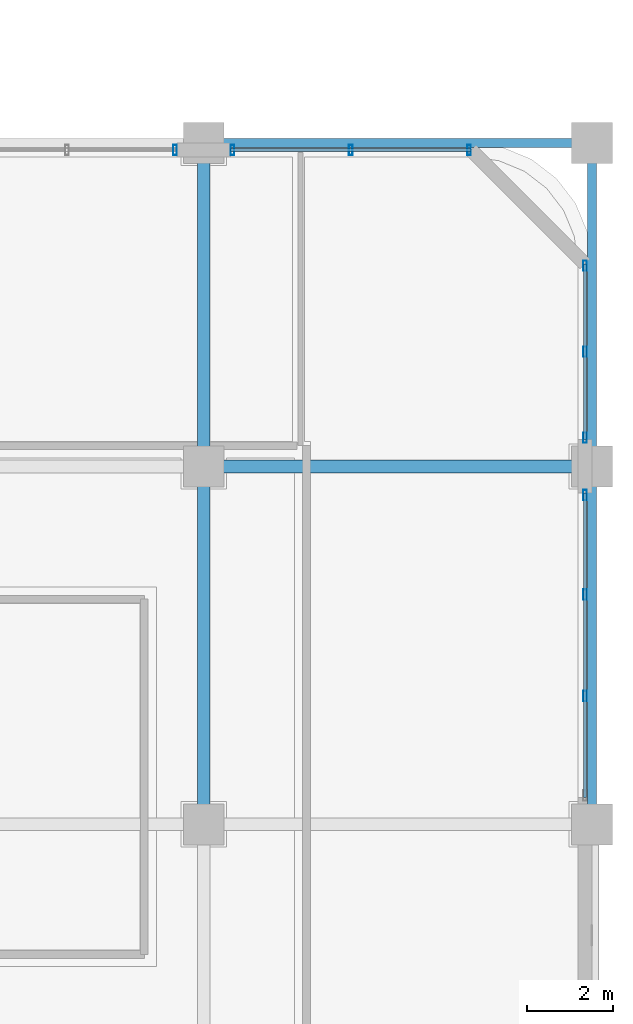
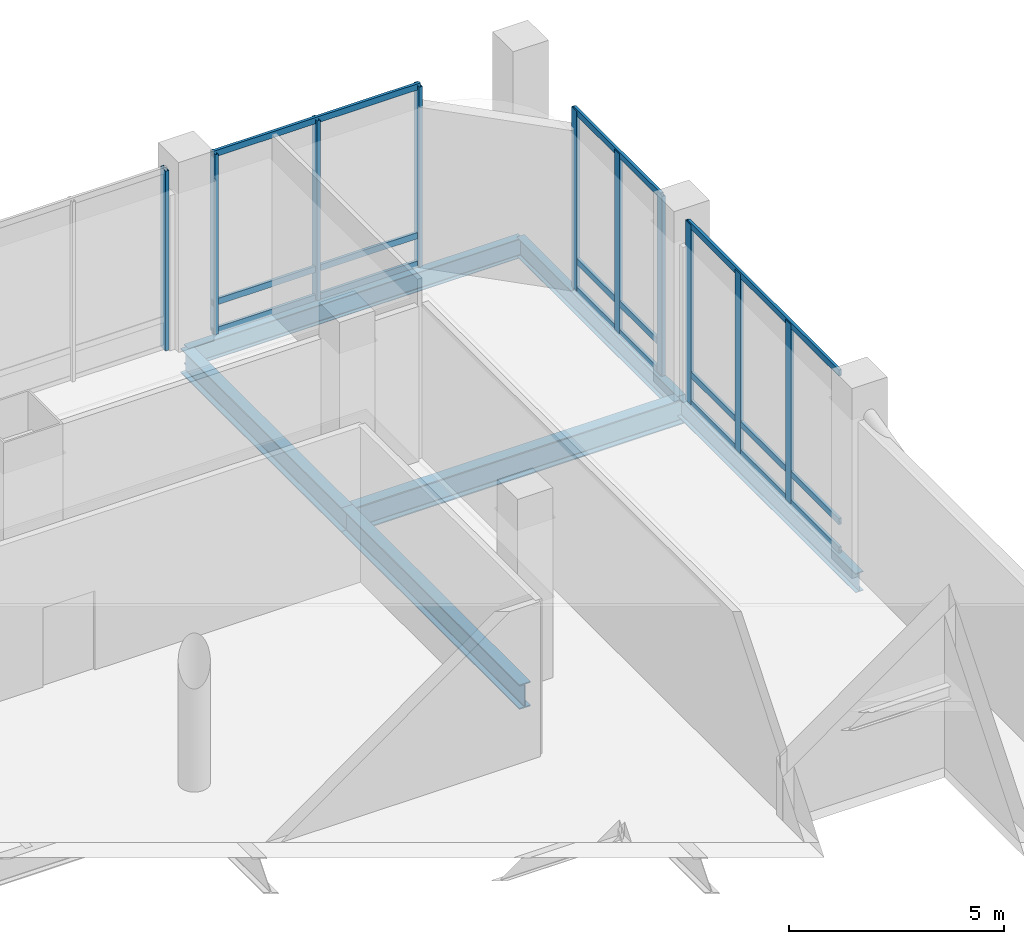
# One storey, part 23 of 43: 19 members, 6 beams, 4 elements without a shape of their own.
"""IFC4 building model written with IfcOpenShell, lengths in metres."""

import ifcopenshell
import ifcopenshell.guid

model = None  # the IFC model being written
_history = None  # IfcOwnerHistory: only IFC2X3 demands one
_inside = {}  # id of a spatial element -> (the spatial element, [elements in it])
_under = {}  # id of a project, library or spatial element -> (it, [spatial elements below it])
_declared = {}  # id of a project -> (the project, [libraries it declares])
_typed = {}  # id of a type object -> (the type object, [elements of that type])
_made_of = {}  # id of a material, layer set ... -> (it, [elements and type objects made of it])


def new_model(schema):
    """Start an empty IFC model of exactly this schema.

    Asked for "IFC4X3", IfcOpenShell would pick the latest addendum, in which some entities
    have other attributes; the version numbers below select the first issue.
    IFC2X3 requires an IfcOwnerHistory on every rooted entity: one is made here for all.
    """
    global model, _history
    if schema == "IFC4X3":
        model = ifcopenshell.file(schema_version=(4, 3, 0, 0))
    else:
        model = ifcopenshell.file(schema=schema)
    _inside.clear()
    _under.clear()
    _declared.clear()
    _typed.clear()
    _made_of.clear()
    _history = None
    if model.schema == "IFC2X3":
        org = make("IfcOrganization", Name="unknown")
        user = make(
            "IfcPersonAndOrganization",
            ThePerson=make("IfcPerson", FamilyName="unknown"),
            TheOrganization=org,
        )
        app = make(
            "IfcApplication",
            ApplicationDeveloper=org,
            Version="unknown",
            ApplicationFullName="unknown",
            ApplicationIdentifier="unknown",
        )
        _history = make(
            "IfcOwnerHistory",
            OwningUser=user,
            OwningApplication=app,
            ChangeAction="ADDED",
            CreationDate=0,
        )
    return model


def make(cls, **values):
    """One entity of the class cls with the attributes given. An attribute that is None is left unset."""
    return model.create_entity(
        cls, **{name: value for name, value in values.items() if value is not None}
    )


def rooted(cls, **values):
    """An entity with a GlobalId (a new one), such as an element, a storey or a relation."""
    return make(cls, GlobalId=ifcopenshell.guid.new(), OwnerHistory=_history, **values)


def si_unit(unit_type, name, prefix=None):
    """IfcSIUnit, for example si_unit("LENGTHUNIT", "METRE", prefix="MILLI")."""
    return make("IfcSIUnit", UnitType=unit_type, Prefix=prefix, Name=name)


def assignment(units):
    """IfcUnitAssignment: the units of a project."""
    return None if units is None else make("IfcUnitAssignment", Units=units)


def point(xyz):
    """IfcCartesianPoint."""
    return None if xyz is None else make("IfcCartesianPoint", Coordinates=xyz)


def direction(xyz):
    """IfcDirection."""
    return None if xyz is None else make("IfcDirection", DirectionRatios=xyz)


def frame(location, z_axis=None, x_axis=None):
    """IfcAxis2Placement3D, a coordinate frame: its origin and axes. An axis left out is left unset."""
    return make(
        "IfcAxis2Placement3D",
        Location=point(location),
        Axis=direction(z_axis),
        RefDirection=direction(x_axis),
    )


def frame_2d(location, x_axis=None):
    """IfcAxis2Placement2D, a coordinate frame in the plane: its origin and x axis."""
    return make(
        "IfcAxis2Placement2D", Location=point(location), RefDirection=direction(x_axis)
    )


def origin():
    """The frame at (0, 0, 0) with its axes left unset."""
    return frame((0.0, 0.0, 0.0))


def origin_2d():
    """The frame at (0, 0) in the plane with its x axis left unset."""
    return frame_2d((0.0, 0.0))


def place(relative_to, where):
    """IfcLocalPlacement: puts the frame where relative to a parent placement (None: the world)."""
    return make(
        "IfcLocalPlacement", PlacementRelTo=relative_to, RelativePlacement=where
    )


def context(
    kind, dimensions, precision=None, world=None, true_north=None, identifier=None
):
    """IfcGeometricRepresentationContext, for example the 3D "Model" context."""
    return make(
        "IfcGeometricRepresentationContext",
        ContextIdentifier=identifier,
        ContextType=kind,
        CoordinateSpaceDimension=dimensions,
        Precision=precision,
        WorldCoordinateSystem=world,
        TrueNorth=true_north,
    )


def subcontext(parent, identifier, kind, view, scale=None):
    """IfcGeometricRepresentationSubContext, for example "Body" below "Model"."""
    return make(
        "IfcGeometricRepresentationSubContext",
        ContextIdentifier=identifier,
        ContextType=kind,
        ParentContext=parent,
        TargetScale=scale,
        TargetView=view,
    )


def project(units=None, contexts=None):
    """IfcProject with its units and contexts."""
    return rooted(
        "IfcProject",
        Name="project",
        RepresentationContexts=contexts,
        UnitsInContext=assignment(units),
    )


def spatial(cls, under=None, at=None, **own):
    """A site, building, storey or space (cls), placed at a placement, below another one or the project."""
    s = rooted(cls, ObjectPlacement=at, **own)
    if under is not None:
        _under.setdefault(under.id(), (under, []))[1].append(s)
    return s


def profile(cls, at=None, kind="AREA", **sizes):
    """A parametric profile (cls). Its sizes go by their IFC names, for example OverallWidth=200.0."""
    return make(cls, ProfileType=kind, Position=at, **sizes)


def hollow_rectangle(**sizes):
    """IfcRectangleHollowProfileDef."""
    return profile("IfcRectangleHollowProfileDef", **sizes)


def i_section(**sizes):
    """IfcIShapeProfileDef."""
    return profile("IfcIShapeProfileDef", **sizes)


def extrude(swept, where, along, depth):
    """IfcExtrudedAreaSolid: the profile swept, set in the frame where, extruded along a direction by depth."""
    return make(
        "IfcExtrudedAreaSolid",
        SweptArea=swept,
        Position=where,
        ExtrudedDirection=direction(along),
        Depth=depth,
    )


def shape(context_of_items, identifier, shape_type, items):
    """IfcShapeRepresentation: the items that make up one representation, for example the "Body"."""
    return make(
        "IfcShapeRepresentation",
        ContextOfItems=context_of_items,
        RepresentationIdentifier=identifier,
        RepresentationType=shape_type,
        Items=items,
    )


def material(Name=None, Category=None):
    """IfcMaterial."""
    return make("IfcMaterial", Name=Name, Category=Category)


def material_profile(
    of_material, cross_section, Name=None, Category=None, Priority=None
):
    """IfcMaterialProfile: a cross section and its material."""
    return make(
        "IfcMaterialProfile",
        Name=Name,
        Material=of_material,
        Profile=cross_section,
        Priority=Priority,
        Category=Category,
    )


def profile_set(profiles, Name=None, composite=None):
    """IfcMaterialProfileSet."""
    return make(
        "IfcMaterialProfileSet",
        Name=Name,
        MaterialProfiles=profiles,
        CompositeProfile=composite,
    )


def made_of(thing, what):
    """Note that an element or type object is made of a material, layer set ...; save() writes the relation."""
    if what is not None:
        _made_of.setdefault(what.id(), (what, []))[1].append(thing)
    return thing


def type_object(cls, material=None, **own):
    """A type object (cls), such as IfcWallType, which elements share."""
    return made_of(rooted(cls, **own), material)


def element(
    cls,
    number,
    at=None,
    inside=None,
    cuts=None,
    type_object=None,
    material=None,
    context=None,
    identifier="Body",
    shape_type=None,
    held_by="IfcProductDefinitionShape",
    body=None,
    shapes=None,
    **own,
):
    """One element of the class cls, such as IfcWall. Its Tag is "e" and its number.

    at: its placement. inside: the storey or other place that contains it. cuts: it is an
    opening in that element (IfcRelVoidsElement). A single representation is given by context,
    identifier, shape_type and body (its items); several are given by shapes. held_by: the class
    of the entity that holds the representations. save() writes the other relations.
    """
    e = rooted(cls, Tag="e%d" % number, ObjectPlacement=at, **own)
    if body is not None:
        shapes = [shape(context, identifier, shape_type, body)]
    if shapes is not None:
        e.Representation = make(held_by, Representations=shapes)
    if inside is not None:
        _inside.setdefault(inside.id(), (inside, []))[1].append(e)
    if cuts is not None:
        rooted(
            "IfcRelVoidsElement", RelatingBuildingElement=cuts, RelatedOpeningElement=e
        )
    if type_object is not None:
        _typed.setdefault(type_object.id(), (type_object, []))[1].append(e)
    return made_of(e, material)


def aggregate(whole, parts):
    """IfcRelAggregates: a whole, such as a stair, and the parts it consists of."""
    return rooted("IfcRelAggregates", RelatingObject=whole, RelatedObjects=parts)


def save(model, path):
    """Write the relations noted so far, then the file.

    IfcRelAggregates (storeys below a building ...), IfcRelContainedInSpatialStructure (elements
    in a storey), IfcRelDefinesByType, IfcRelAssociatesMaterial and IfcRelDeclares: one each for
    every whole, place, type object, material and project.
    """
    for whole, parts in _under.values():
        aggregate(whole, parts)
    for where, things in _inside.values():
        rooted(
            "IfcRelContainedInSpatialStructure",
            RelatedElements=things,
            RelatingStructure=where,
        )
    for kind, things in _typed.values():
        rooted("IfcRelDefinesByType", RelatedObjects=things, RelatingType=kind)
    for what, things in _made_of.values():
        rooted("IfcRelAssociatesMaterial", RelatedObjects=things, RelatingMaterial=what)
    for by, libraries in _declared.values():
        rooted("IfcRelDeclares", RelatingContext=by, RelatedDefinitions=libraries)
    model.write(path)


model = new_model("IFC4")

# Units and contexts
model_context = context("Model", 3, precision=1e-05, world=origin(), true_north=direction((0.0, 1.0)))
body_context = subcontext(model_context, "Body", "Model", "MODEL_VIEW")
ifc_project = project(units=[si_unit("LENGTHUNIT", "METRE"), si_unit("AREAUNIT", "SQUARE_METRE"), si_unit("VOLUMEUNIT", "CUBIC_METRE"), si_unit("PLANEANGLEUNIT", "RADIAN"), si_unit("MASSUNIT", "GRAM", prefix="KILO")], contexts=[model_context])

# Site, building, storey
site_placement = place(None, origin())
site = spatial("IfcSite", under=ifc_project, at=site_placement, CompositionType="ELEMENT")
building_placement = place(site_placement, origin())
building = spatial("IfcBuilding", under=site, at=building_placement, Name="Punatoya Terracotta Tower", CompositionType="ELEMENT")
storey_placement = place(building_placement, frame((0.0, 0.0, 6.0)))
storey = spatial("IfcBuildingStorey", under=building, at=storey_placement, Name="L01", CompositionType="ELEMENT", Elevation=6.0)

# Beams
ifc_material_1 = material(Name="Steel S355", Category="steel")
ifc_material_profile_1 = material_profile(ifc_material_1, i_section(OverallWidth=0.300048828125, OverallDepth=0.699951171875, WebThickness=0.01708984375, FlangeThickness=0.031982421875, FilletRadius=0.01806640625, at=origin_2d()))
ifc_profile_set_1 = profile_set([ifc_material_profile_1], Name="Steel S355")
beam_type_1 = type_object("IfcBeamType", Name="BM-PRI-700", PredefinedType="BEAM", material=ifc_profile_set_1)
beam_1_placement = place(storey_placement, frame((28.0, 17.5, -0.6298828125), z_axis=(1.0, 0.0, 0.0), x_axis=(0.0, 1.0, 0.0)))
element("IfcBeam", 1, at=beam_1_placement, inside=storey, type_object=beam_type_1, Name="BM-L01-GE2", PredefinedType="BEAM", context=body_context, shape_type="SweptSolid", body=[
    extrude(i_section(OverallWidth=0.300048828125, OverallDepth=0.699951171875, WebThickness=0.01708984375, FlangeThickness=0.031982421875, FilletRadius=0.01806640625, at=origin_2d()), origin(), (0.0, 0.0, 1.0), 9.0),
])
beam_2_placement = place(storey_placement, frame((28.0, 9.199951171875, -0.6298828125), z_axis=(0.0, 1.0, 0.0), x_axis=(-1.0, 0.0, 0.0)))
element("IfcBeam", 2, at=beam_2_placement, inside=storey, type_object=beam_type_1, Name="BM-L01-X28E-9", PredefinedType="BEAM", context=body_context, shape_type="SweptSolid", body=[
    extrude(i_section(OverallWidth=0.300048828125, OverallDepth=0.699951171875, WebThickness=0.01708984375, FlangeThickness=0.031982421875, FilletRadius=0.01806640625, at=origin_2d()), origin(), (0.0, 0.0, 1.0), 8.300048828125),
])
beam_3_placement = place(storey_placement, frame((28.0, 17.5, -0.6298828125), z_axis=(0.0, 1.0, 0.0), x_axis=(-1.0, 0.0, 0.0)))
element("IfcBeam", 3, at=beam_3_placement, inside=storey, type_object=beam_type_1, Name="BM-L01-X28E-17", PredefinedType="BEAM", context=body_context, shape_type="SweptSolid", body=[
    extrude(i_section(OverallWidth=0.300048828125, OverallDepth=0.699951171875, WebThickness=0.01708984375, FlangeThickness=0.031982421875, FilletRadius=0.01806640625, at=origin_2d()), origin(), (0.0, 0.0, 1.0), 7.5),
])
ifc_material_profile_2 = material_profile(ifc_material_1, i_section(OverallWidth=0.2099609375, OverallDepth=0.550048828125, WebThickness=0.010986328125, FlangeThickness=0.01708984375, FilletRadius=0.01806640625, at=origin_2d()))
ifc_profile_set_2 = profile_set([ifc_material_profile_2], Name="Steel S355")
beam_type_2 = type_object("IfcBeamType", Name="BM-SPN-550", PredefinedType="SPANDREL", material=ifc_profile_set_2)
beam_4_placement = place(storey_placement, frame((28.0, 25.0, -0.554931640625), z_axis=(1.0, 0.0, 0.0), x_axis=(0.0, 1.0, 0.0)))
element("IfcBeam", 4, at=beam_4_placement, inside=storey, type_object=beam_type_2, Name="BM-L01-HE2", PredefinedType="SPANDREL", context=body_context, shape_type="SweptSolid", body=[
    extrude(i_section(OverallWidth=0.2099609375, OverallDepth=0.550048828125, WebThickness=0.010986328125, FlangeThickness=0.01708984375, FilletRadius=0.01806640625, at=origin_2d()), origin(), (0.0, 0.0, 1.0), 9.0),
])
beam_5_placement = place(storey_placement, frame((37.0, 9.199951171875, -0.554931640625), z_axis=(0.0, 1.0, 0.0), x_axis=(-1.0, 0.0, 0.0)))
element("IfcBeam", 5, at=beam_5_placement, inside=storey, type_object=beam_type_2, Name="BM-L01-X37E-9", PredefinedType="SPANDREL", context=body_context, shape_type="SweptSolid", body=[
    extrude(i_section(OverallWidth=0.2099609375, OverallDepth=0.550048828125, WebThickness=0.010986328125, FlangeThickness=0.01708984375, FilletRadius=0.01806640625, at=origin_2d()), origin(), (0.0, 0.0, 1.0), 8.300048828125),
])
beam_6_placement = place(storey_placement, frame((37.0, 17.5, -0.554931640625), z_axis=(0.0, 1.0, 0.0), x_axis=(-1.0, 0.0, 0.0)))
element("IfcBeam", 6, at=beam_6_placement, inside=storey, type_object=beam_type_2, Name="BM-L01-X37E-17", PredefinedType="SPANDREL", context=body_context, shape_type="SweptSolid", body=[
    extrude(i_section(OverallWidth=0.2099609375, OverallDepth=0.550048828125, WebThickness=0.010986328125, FlangeThickness=0.01708984375, FilletRadius=0.01806640625, at=origin_2d()), origin(), (0.0, 0.0, 1.0), 7.5),
])

# Curtain wall, member
ifc_material_2 = material(Name="Aluminium 6063-T6 + Double Low-E Glass", Category="aluminium")
curtain_wall_type = type_object("IfcCurtainWallType", Name="CW-POD", PredefinedType="NOTDEFINED", material=ifc_material_2)
curtain_wall_1_placement = place(storey_placement, origin())
curtain_wall_1 = element("IfcCurtainWall", 7, at=curtain_wall_1_placement, inside=storey, type_object=curtain_wall_type, Name="L01 Curtain Wall CWP-L01-N6", PredefinedType="NOTDEFINED")
ifc_material_3 = material(Name="Aluminium 6063-T6", Category="aluminium")
ifc_material_profile_3 = material_profile(ifc_material_3, hollow_rectangle(XDim=0.0849609375, YDim=0.239990234375, WallThickness=0.0048828125, at=origin_2d()))
ifc_profile_set_3 = profile_set([ifc_material_profile_3], Name="Aluminium 6063-T6")
member_type_1 = type_object("IfcMemberType", Name="CW-MUL-POD", PredefinedType="MULLION", material=ifc_profile_set_3)
member_1_placement = place(storey_placement, frame((27.3349609375, 24.840087890625, 0.0), z_axis=(0.0, 0.0, 1.0), x_axis=(1.0, 0.0, 0.0)))
member_1 = element("IfcMember", 8, at=member_1_placement, type_object=member_type_1, Name="CWP-L01-N6 Mullion 00", PredefinedType="MULLION", context=body_context, shape_type="SweptSolid", body=[
    extrude(hollow_rectangle(XDim=0.0849609375, YDim=0.239990234375, WallThickness=0.0048828125, at=origin_2d()), origin(), (0.0, 0.0, 1.0), 5.1201171875),
])
aggregate(curtain_wall_1, [member_1])

# Curtain wall, members
curtain_wall_2_placement = place(storey_placement, origin())
curtain_wall_2 = element("IfcCurtainWall", 9, at=curtain_wall_2_placement, inside=storey, type_object=curtain_wall_type, Name="L01 Curtain Wall CWP-L01-N7", PredefinedType="NOTDEFINED")
member_2_placement = place(storey_placement, frame((34.155029296875, 24.840087890625, 0.0), z_axis=(0.0, 0.0, 1.0), x_axis=(1.0, 0.0, 0.0)))
member_2 = element("IfcMember", 10, at=member_2_placement, type_object=member_type_1, Name="CWP-L01-N7 Mullion 00", PredefinedType="MULLION", context=body_context, shape_type="SweptSolid", body=[
    extrude(hollow_rectangle(XDim=0.0849609375, YDim=0.239990234375, WallThickness=0.0048828125, at=origin_2d()), origin(), (0.0, 0.0, 1.0), 5.1201171875),
])
member_3_placement = place(storey_placement, frame((31.409912109375, 24.840087890625, 0.0), z_axis=(0.0, 0.0, 1.0), x_axis=(1.0, 0.0, 0.0)))
member_3 = element("IfcMember", 11, at=member_3_placement, type_object=member_type_1, Name="CWP-L01-N7 Mullion 01", PredefinedType="MULLION", context=body_context, shape_type="SweptSolid", body=[
    extrude(hollow_rectangle(XDim=0.0849609375, YDim=0.239990234375, WallThickness=0.0048828125, at=origin_2d()), origin(), (0.0, 0.0, 1.0), 5.1201171875),
])
member_4_placement = place(storey_placement, frame((28.6650390625, 24.840087890625, 0.0), z_axis=(0.0, 0.0, 1.0), x_axis=(1.0, 0.0, 0.0)))
member_4 = element("IfcMember", 12, at=member_4_placement, type_object=member_type_1, Name="CWP-L01-N7 Mullion 02", PredefinedType="MULLION", context=body_context, shape_type="SweptSolid", body=[
    extrude(hollow_rectangle(XDim=0.0849609375, YDim=0.239990234375, WallThickness=0.0048828125, at=origin_2d()), origin(), (0.0, 0.0, 1.0), 5.1201171875),
])

curtain_wall_3_placement = place(storey_placement, origin())
curtain_wall_3 = element("IfcCurtainWall", 13, at=curtain_wall_3_placement, inside=storey, type_object=curtain_wall_type, Name="L01 Curtain Wall CWP-L01-E3", PredefinedType="NOTDEFINED")
member_5_placement = place(storey_placement, frame((36.840087890625, 16.8349609375, 0.0), z_axis=(0.0, 0.0, 1.0), x_axis=(1.0, 0.0, 0.0)))
member_5 = element("IfcMember", 14, at=member_5_placement, type_object=member_type_1, Name="CWP-L01-E3 Mullion 00", PredefinedType="MULLION", context=body_context, shape_type="SweptSolid", body=[
    extrude(hollow_rectangle(XDim=0.0849609375, YDim=0.239990234375, WallThickness=0.0048828125, at=origin_2d()), origin(), (0.0, 0.0, 1.0), 5.1201171875),
])
member_6_placement = place(storey_placement, frame((36.840087890625, 14.526611328125, 0.0), z_axis=(0.0, 0.0, 1.0), x_axis=(1.0, 0.0, 0.0)))
member_6 = element("IfcMember", 15, at=member_6_placement, type_object=member_type_1, Name="CWP-L01-E3 Mullion 01", PredefinedType="MULLION", context=body_context, shape_type="SweptSolid", body=[
    extrude(hollow_rectangle(XDim=0.0849609375, YDim=0.239990234375, WallThickness=0.0048828125, at=origin_2d()), origin(), (0.0, 0.0, 1.0), 5.1201171875),
])
member_7_placement = place(storey_placement, frame((36.840087890625, 12.17333984375, 0.0), z_axis=(0.0, 0.0, 1.0), x_axis=(1.0, 0.0, 0.0)))
member_7 = element("IfcMember", 16, at=member_7_placement, type_object=member_type_1, Name="CWP-L01-E3 Mullion 02", PredefinedType="MULLION", context=body_context, shape_type="SweptSolid", body=[
    extrude(hollow_rectangle(XDim=0.0849609375, YDim=0.239990234375, WallThickness=0.0048828125, at=origin_2d()), origin(), (0.0, 0.0, 1.0), 5.1201171875),
])

curtain_wall_4_placement = place(storey_placement, origin())
curtain_wall_4 = element("IfcCurtainWall", 17, at=curtain_wall_4_placement, inside=storey, type_object=curtain_wall_type, Name="L01 Curtain Wall CWP-L01-E4", PredefinedType="NOTDEFINED")
member_8_placement = place(storey_placement, frame((36.840087890625, 22.155029296875, 0.0), z_axis=(0.0, 0.0, 1.0), x_axis=(1.0, 0.0, 0.0)))
member_8 = element("IfcMember", 18, at=member_8_placement, type_object=member_type_1, Name="CWP-L01-E4 Mullion 00", PredefinedType="MULLION", context=body_context, shape_type="SweptSolid", body=[
    extrude(hollow_rectangle(XDim=0.0849609375, YDim=0.239990234375, WallThickness=0.0048828125, at=origin_2d()), origin(), (0.0, 0.0, 1.0), 5.1201171875),
])
member_9_placement = place(storey_placement, frame((36.840087890625, 20.159912109375, 0.0), z_axis=(0.0, 0.0, 1.0), x_axis=(1.0, 0.0, 0.0)))
member_9 = element("IfcMember", 19, at=member_9_placement, type_object=member_type_1, Name="CWP-L01-E4 Mullion 01", PredefinedType="MULLION", context=body_context, shape_type="SweptSolid", body=[
    extrude(hollow_rectangle(XDim=0.0849609375, YDim=0.239990234375, WallThickness=0.0048828125, at=origin_2d()), origin(), (0.0, 0.0, 1.0), 5.1201171875),
])
member_10_placement = place(storey_placement, frame((36.840087890625, 18.1650390625, 0.0), z_axis=(0.0, 0.0, 1.0), x_axis=(1.0, 0.0, 0.0)))
member_10 = element("IfcMember", 20, at=member_10_placement, type_object=member_type_1, Name="CWP-L01-E4 Mullion 02", PredefinedType="MULLION", context=body_context, shape_type="SweptSolid", body=[
    extrude(hollow_rectangle(XDim=0.0849609375, YDim=0.239990234375, WallThickness=0.0048828125, at=origin_2d()), origin(), (0.0, 0.0, 1.0), 5.1201171875),
])

# Member
ifc_material_profile_4 = material_profile(ifc_material_3, hollow_rectangle(XDim=0.074951171875, YDim=0.175048828125, WallThickness=0.00439453125, at=origin_2d()))
ifc_profile_set_4 = profile_set([ifc_material_profile_4], Name="Aluminium 6063-T6")
member_type_2 = type_object("IfcMemberType", Name="CW-TRN-POD", PredefinedType="USERDEFINED", material=ifc_profile_set_4)
member_11_placement = place(storey_placement, frame((34.199951171875, 24.840087890625, 0.0400390625), z_axis=(-1.0, 0.0, 0.0), x_axis=(0.0, -1.0, 0.0)))
member_11 = element("IfcMember", 21, at=member_11_placement, type_object=member_type_2, Name="CWP-L01-N7 Transom 1", ObjectType="TRANSOM", PredefinedType="USERDEFINED", context=body_context, shape_type="SweptSolid", body=[
    extrude(hollow_rectangle(XDim=0.074951171875, YDim=0.175048828125, WallThickness=0.00439453125, at=origin_2d()), origin(), (0.0, 0.0, 1.0), 5.579833984375),
])

member_12_placement = place(storey_placement, frame((34.199951171875, 24.840087890625, 0.85009765625), z_axis=(-1.0, 0.0, 0.0), x_axis=(0.0, -1.0, 0.0)))
member_12 = element("IfcMember", 22, at=member_12_placement, type_object=member_type_2, Name="CWP-L01-N7 Transom 2", ObjectType="TRANSOM", PredefinedType="USERDEFINED", context=body_context, shape_type="SweptSolid", body=[
    extrude(hollow_rectangle(XDim=0.074951171875, YDim=0.175048828125, WallThickness=0.00439453125, at=origin_2d()), origin(), (0.0, 0.0, 1.0), 5.579833984375),
])

member_13_placement = place(storey_placement, frame((34.199951171875, 24.840087890625, 5.080078125), z_axis=(-1.0, 0.0, 0.0), x_axis=(0.0, -1.0, 0.0)))
member_13 = element("IfcMember", 23, at=member_13_placement, type_object=member_type_2, Name="CWP-L01-N7 Transom 3", ObjectType="TRANSOM", PredefinedType="USERDEFINED", context=body_context, shape_type="SweptSolid", body=[
    extrude(hollow_rectangle(XDim=0.074951171875, YDim=0.175048828125, WallThickness=0.00439453125, at=origin_2d()), origin(), (0.0, 0.0, 1.0), 5.579833984375),
])

aggregate(curtain_wall_2, [member_2, member_3, member_4, member_11, member_12, member_13])

member_14_placement = place(storey_placement, frame((36.840087890625, 16.8798828125, 0.0400390625), z_axis=(0.0, -1.0, 0.0), x_axis=(1.0, 0.0, 0.0)))
member_14 = element("IfcMember", 24, at=member_14_placement, type_object=member_type_2, Name="CWP-L01-E3 Transom 1", ObjectType="TRANSOM", PredefinedType="USERDEFINED", context=body_context, shape_type="SweptSolid", body=[
    extrude(hollow_rectangle(XDim=0.074951171875, YDim=0.175048828125, WallThickness=0.00439453125, at=origin_2d()), origin(), (0.0, 0.0, 1.0), 7.059814453125),
])

member_15_placement = place(storey_placement, frame((36.840087890625, 16.8798828125, 0.85009765625), z_axis=(0.0, -1.0, 0.0), x_axis=(1.0, 0.0, 0.0)))
member_15 = element("IfcMember", 25, at=member_15_placement, type_object=member_type_2, Name="CWP-L01-E3 Transom 2", ObjectType="TRANSOM", PredefinedType="USERDEFINED", context=body_context, shape_type="SweptSolid", body=[
    extrude(hollow_rectangle(XDim=0.074951171875, YDim=0.175048828125, WallThickness=0.00439453125, at=origin_2d()), origin(), (0.0, 0.0, 1.0), 7.059814453125),
])

member_16_placement = place(storey_placement, frame((36.840087890625, 16.8798828125, 5.080078125), z_axis=(0.0, -1.0, 0.0), x_axis=(1.0, 0.0, 0.0)))
member_16 = element("IfcMember", 26, at=member_16_placement, type_object=member_type_2, Name="CWP-L01-E3 Transom 3", ObjectType="TRANSOM", PredefinedType="USERDEFINED", context=body_context, shape_type="SweptSolid", body=[
    extrude(hollow_rectangle(XDim=0.074951171875, YDim=0.175048828125, WallThickness=0.00439453125, at=origin_2d()), origin(), (0.0, 0.0, 1.0), 7.059814453125),
])

aggregate(curtain_wall_3, [member_5, member_6, member_7, member_14, member_15, member_16])

member_17_placement = place(storey_placement, frame((36.840087890625, 22.199951171875, 0.0400390625), z_axis=(0.0, -1.0, 0.0), x_axis=(1.0, 0.0, 0.0)))
member_17 = element("IfcMember", 27, at=member_17_placement, type_object=member_type_2, Name="CWP-L01-E4 Transom 1", ObjectType="TRANSOM", PredefinedType="USERDEFINED", context=body_context, shape_type="SweptSolid", body=[
    extrude(hollow_rectangle(XDim=0.074951171875, YDim=0.175048828125, WallThickness=0.00439453125, at=origin_2d()), origin(), (0.0, 0.0, 1.0), 4.079833984375),
])

member_18_placement = place(storey_placement, frame((36.840087890625, 22.199951171875, 0.85009765625), z_axis=(0.0, -1.0, 0.0), x_axis=(1.0, 0.0, 0.0)))
member_18 = element("IfcMember", 28, at=member_18_placement, type_object=member_type_2, Name="CWP-L01-E4 Transom 2", ObjectType="TRANSOM", PredefinedType="USERDEFINED", context=body_context, shape_type="SweptSolid", body=[
    extrude(hollow_rectangle(XDim=0.074951171875, YDim=0.175048828125, WallThickness=0.00439453125, at=origin_2d()), origin(), (0.0, 0.0, 1.0), 4.079833984375),
])

member_19_placement = place(storey_placement, frame((36.840087890625, 22.199951171875, 5.080078125), z_axis=(0.0, -1.0, 0.0), x_axis=(1.0, 0.0, 0.0)))
member_19 = element("IfcMember", 29, at=member_19_placement, type_object=member_type_2, Name="CWP-L01-E4 Transom 3", ObjectType="TRANSOM", PredefinedType="USERDEFINED", context=body_context, shape_type="SweptSolid", body=[
    extrude(hollow_rectangle(XDim=0.074951171875, YDim=0.175048828125, WallThickness=0.00439453125, at=origin_2d()), origin(), (0.0, 0.0, 1.0), 4.079833984375),
])

aggregate(curtain_wall_4, [member_8, member_9, member_10, member_17, member_18, member_19])

save(model, "model.ifc")
